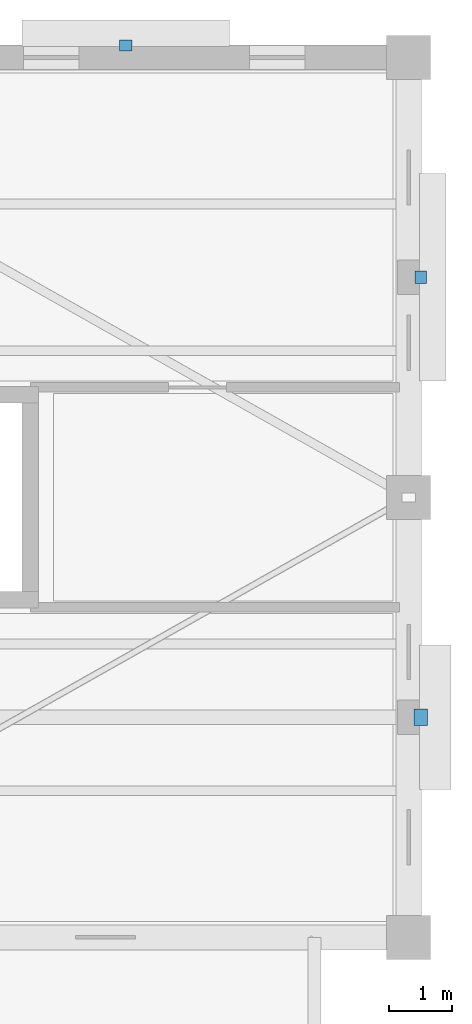
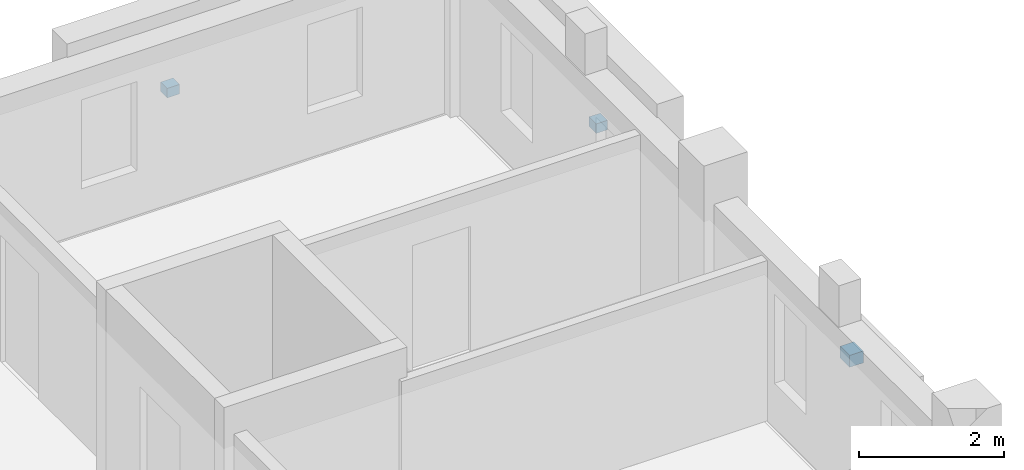
# One storey, part 42 of 48: 3 discrete accessories.
"""IFC4 building model written with IfcOpenShell, lengths in metres."""

from ifc_helpers import new_model, si_unit, direction, frame, origin, origin_2d, place, context, subcontext, project, spatial, rectangle, extrude, material, type_object, element, save


model = new_model("IFC4")

# Units and contexts
model_context = context("Model", 3, precision=1e-05, world=origin(), true_north=direction((0.0, 1.0)))
body_context = subcontext(model_context, "Body", "Model", "MODEL_VIEW")
ifc_project = project(units=[si_unit("LENGTHUNIT", "METRE"), si_unit("AREAUNIT", "SQUARE_METRE"), si_unit("VOLUMEUNIT", "CUBIC_METRE"), si_unit("PLANEANGLEUNIT", "RADIAN"), si_unit("MASSUNIT", "GRAM", prefix="KILO")], contexts=[model_context])

# Site, building, storey
site_placement = place(None, origin())
site = spatial("IfcSite", under=ifc_project, at=site_placement, CompositionType="ELEMENT")
building_placement = place(site_placement, origin())
building = spatial("IfcBuilding", under=site, at=building_placement, Name="Trellovar Central Fire Station", CompositionType="ELEMENT")
storey_placement = place(building_placement, frame((0.0, 0.0, 9.300048828125)))
storey = spatial("IfcBuildingStorey", under=building, at=storey_placement, Name="L03", CompositionType="ELEMENT", Elevation=9.300048828125)

# Discrete accessories
ifc_material_1 = material(Name="Patina bronze wrought metalwork", Category="metal")
discrete_accessory_type_1 = type_object("IfcDiscreteAccessoryType", Name="ACC-BRK1", PredefinedType="BRACKET", material=ifc_material_1)
discrete_accessory_placement = place(storey_placement, frame((161.18994140625, 62.5, 1.89990234375), z_axis=(0.0, 0.0, 1.0), x_axis=(0.0, 1.0, 0.0)))
element("IfcDiscreteAccessory", 1, at=discrete_accessory_placement, inside=storey, type_object=discrete_accessory_type_1, Name="L03 bronze shade mounting bracket 112", PredefinedType="BRACKET", context=body_context, shape_type="SweptSolid", body=[
    extrude(rectangle(XDim=0.260009765625, YDim=0.219970703125, at=origin_2d()), origin(), (0.0, 0.0, 1.0), 0.199951171875),
])
ifc_material_2 = material(Name="Patina bronze wrought metalwork", Category="metal")
discrete_accessory_type_2 = type_object("IfcDiscreteAccessoryType", Name="ACC-BRK2", PredefinedType="BRACKET", material=ifc_material_2)
for number, where, z_axis, x_axis, name in (
    (2, (156.5, 73.18994140625, 1.56982421875), (0.0, 0.0, 1.0), (1.0, 0.0, 0.0), "L03 bronze shade mounting bracket 111"),
    (3, (161.18994140625, 69.5, 1.56982421875), (0.0, 0.0, 1.0), (0.0, 1.0, 0.0), "L03 bronze shade mounting bracket 113"),
):
    element("IfcDiscreteAccessory", number, at=place(storey_placement, frame(where, z_axis=z_axis, x_axis=x_axis)), inside=storey, type_object=discrete_accessory_type_2, Name=name, PredefinedType="BRACKET", context=body_context, shape_type="SweptSolid", body=[
        extrude(rectangle(XDim=0.199951171875, YDim=0.179931640625, at=origin_2d()), origin(), (0.0, 0.0, 1.0), 0.159912109375),
    ])

save(model, "model.ifc")
